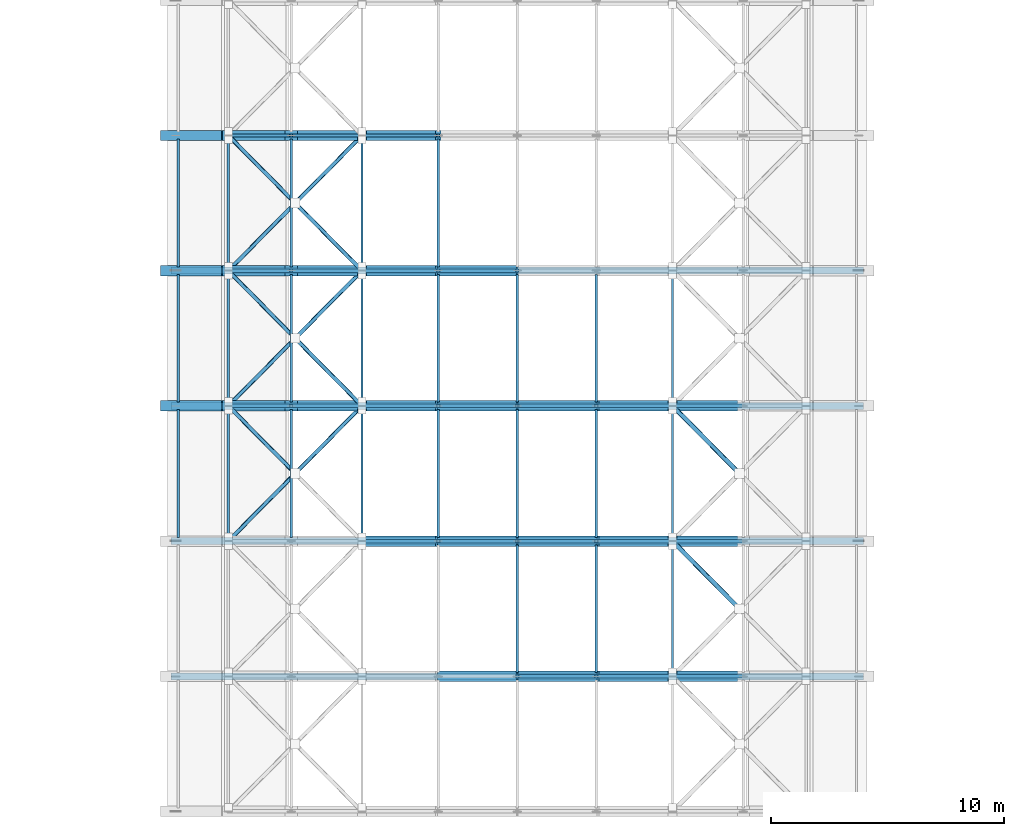
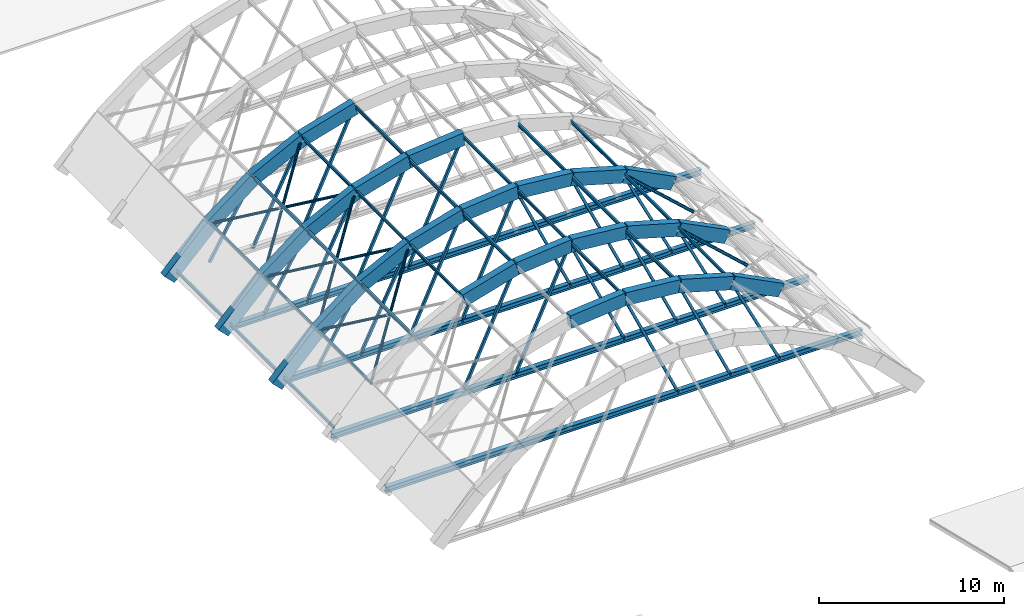
# One storey, part 8 of 81: 56 members, 30 beams.
"""IFC4 building model written with IfcOpenShell, lengths in metres."""

from ifc_helpers import new_model, si_unit, direction, frame, origin, origin_2d, place, context, subcontext, project, spatial, rectangle, hollow_rectangle, hollow_circle, i_section, extrude, material, material_profile, profile_set, type_object, element, save


model = new_model("IFC4")

# Units and contexts
model_context = context("Model", 3, precision=1e-05, world=origin(), true_north=direction((0.0, 1.0)))
body_context = subcontext(model_context, "Body", "Model", "MODEL_VIEW")
ifc_project = project(units=[si_unit("LENGTHUNIT", "METRE"), si_unit("AREAUNIT", "SQUARE_METRE"), si_unit("VOLUMEUNIT", "CUBIC_METRE"), si_unit("PLANEANGLEUNIT", "RADIAN"), si_unit("MASSUNIT", "GRAM", prefix="KILO")], contexts=[model_context])

# Site, building, storey
site_placement = place(None, origin())
site = spatial("IfcSite", under=ifc_project, at=site_placement, CompositionType="ELEMENT")
building_placement = place(site_placement, origin())
building = spatial("IfcBuilding", under=site, at=building_placement, Name="Tanwirah Colonnade Gardens", CompositionType="ELEMENT")
storey_placement = place(building_placement, frame((0.0, 0.0, 8.840087890625)))
storey = spatial("IfcBuildingStorey", under=building, at=storey_placement, Name="L02", CompositionType="ELEMENT", Elevation=8.840087890625)

# Members
ifc_material_1 = material(Name="Steel S355", Category="steel")
ifc_material_profile_1 = material_profile(ifc_material_1, hollow_circle(Radius=0.084228515625, WallThickness=0.010009765625, at=origin_2d()), Name="CHS 168.3x10")
ifc_profile_set_1 = profile_set([ifc_material_profile_1], Name="Steel S355")
member_type_1 = type_object("IfcMemberType", Name="BRC-CHS168", PredefinedType="BRACE", material=ifc_profile_set_1)
member_1_placement = place(storey_placement, frame((80.604736328125, 51.39990234375, 2.29345703125), z_axis=(0.642700500329, 0.650061128505, 0.405409171189), x_axis=(-0.711121325533, 0.70306931406, 0.0)))
element("IfcMember", 1, at=member_1_placement, inside=storey, type_object=member_type_1, Name="Vault Roof Continuous Diagonal Brace 3.1", PredefinedType="BRACE", context=body_context, shape_type="SweptSolid", body=[
    extrude(hollow_circle(Radius=0.084228515625, WallThickness=0.010009765625, at=origin_2d()), origin(), (0.0, 0.0, 1.0), 8.92236328125),
])
member_2_placement = place(storey_placement, frame((83.394775390625, 54.3779296875, 4.05322265625), z_axis=(-0.642707525194, 0.650074928572, -0.405375904935), x_axis=(-0.711124945561, -0.703065652554, 0.0)))
element("IfcMember", 2, at=member_2_placement, inside=storey, type_object=member_type_1, Name="Vault Roof Split Diagonal Brace 3.2B", PredefinedType="BRACE", context=body_context, shape_type="SweptSolid", body=[
    extrude(hollow_circle(Radius=0.084228515625, WallThickness=0.010009765625, at=origin_2d()), origin(), (0.0, 0.0, 1.0), 4.341064453125),
])
member_3_placement = place(storey_placement, frame((80.604736328125, 57.199951171875, 2.29345703125), z_axis=(0.642700500329, 0.650061128505, 0.405409171189), x_axis=(-0.711121325533, 0.70306931406, 0.0)))
element("IfcMember", 3, at=member_3_placement, inside=storey, type_object=member_type_1, Name="Vault Roof Continuous Diagonal Brace 4.1", PredefinedType="BRACE", context=body_context, shape_type="SweptSolid", body=[
    extrude(hollow_circle(Radius=0.084228515625, WallThickness=0.010009765625, at=origin_2d()), origin(), (0.0, 0.0, 1.0), 8.92236328125),
])
for number, where, z_axis, x_axis, name in (
    (4, (86.339111328125, 57.199951171875, 5.91064453125), (-0.642692872086, 0.650060107494, -0.405422901196), (-0.711124945561, -0.703065652554, 0.0), "Vault Roof Split Diagonal Brace 4.2A"),
    (5, (83.394775390625, 60.177978515625, 4.05322265625), (-0.642707525194, 0.650074928572, -0.405375904935), (-0.711124945561, -0.703065652554, 0.0), "Vault Roof Split Diagonal Brace 4.2B"),
):
    element("IfcMember", number, at=place(storey_placement, frame(where, z_axis=z_axis, x_axis=x_axis)), inside=storey, type_object=member_type_1, Name=name, PredefinedType="BRACE", context=body_context, shape_type="SweptSolid", body=[
        extrude(hollow_circle(Radius=0.084228515625, WallThickness=0.010009765625, at=origin_2d()), origin(), (0.0, 0.0, 1.0), 4.341064453125),
    ])
member_4_placement = place(storey_placement, frame((80.604736328125, 63.0, 2.29345703125), z_axis=(0.642700500329, 0.650061128505, 0.405409171189), x_axis=(-0.711121325533, 0.70306931406, 0.0)))
element("IfcMember", 6, at=member_4_placement, inside=storey, type_object=member_type_1, Name="Vault Roof Continuous Diagonal Brace 5.1", PredefinedType="BRACE", context=body_context, shape_type="SweptSolid", body=[
    extrude(hollow_circle(Radius=0.084228515625, WallThickness=0.010009765625, at=origin_2d()), origin(), (0.0, 0.0, 1.0), 8.92236328125),
])
for number, where, z_axis, x_axis, name in (
    (7, (86.339111328125, 63.0, 5.91064453125), (-0.642692872086, 0.650060107494, -0.405422901196), (-0.711124945561, -0.703065652554, 0.0), "Vault Roof Split Diagonal Brace 5.2A"),
    (8, (83.394775390625, 65.97802734375, 4.05322265625), (-0.642707525194, 0.650074928572, -0.405375904935), (-0.711124945561, -0.703065652554, 0.0), "Vault Roof Split Diagonal Brace 5.2B"),
):
    element("IfcMember", number, at=place(storey_placement, frame(where, z_axis=z_axis, x_axis=x_axis)), inside=storey, type_object=member_type_1, Name=name, PredefinedType="BRACE", context=body_context, shape_type="SweptSolid", body=[
        extrude(hollow_circle(Radius=0.084228515625, WallThickness=0.010009765625, at=origin_2d()), origin(), (0.0, 0.0, 1.0), 4.341064453125),
    ])
ifc_material_profile_2 = material_profile(ifc_material_1, hollow_circle(Radius=0.096923828125, WallThickness=0.010009765625, at=origin_2d()), Name="CHS 193.7x10")
ifc_profile_set_2 = profile_set([ifc_material_profile_2], Name="Steel S355")
member_type_2 = type_object("IfcMemberType", Name="BRC-CHS194", PredefinedType="BRACE", material=ifc_profile_set_2)
for number, where, z_axis, x_axis, name in (
    (9, (102.450927734375, 48.578125, 4.150634765625), (-0.642716368159, 0.65002763241, 0.405437722966), (-0.711094533496, -0.703096411904, 0.0), "Vault Roof Split Diagonal Brace 2.4B"),
    (10, (102.450927734375, 54.3779296875, 4.150634765625), (-0.642692872086, 0.650060107494, 0.405422901196), (-0.711124945561, -0.703065652554, 0.0), "Vault Roof Split Diagonal Brace 3.4B"),
):
    element("IfcMember", number, at=place(storey_placement, frame(where, z_axis=z_axis, x_axis=x_axis)), inside=storey, type_object=member_type_2, Name=name, PredefinedType="BRACE", context=body_context, shape_type="SweptSolid", body=[
        extrude(hollow_circle(Radius=0.096923828125, WallThickness=0.010009765625, at=origin_2d()), origin(), (0.0, 0.0, 1.0), 4.341064453125),
    ])
ifc_material_profile_3 = material_profile(ifc_material_1, i_section(OverallWidth=0.110107421875, OverallDepth=0.219970703125, WebThickness=0.005859375, FlangeThickness=0.00927734375, at=origin_2d()), Name="IPE 220")
ifc_profile_set_3 = profile_set([ifc_material_profile_3], Name="Steel S355")
member_type_3 = type_object("IfcMemberType", Name="PRL-IPE180", PredefinedType="PURLIN", material=ifc_profile_set_3)
for number, where, z_axis, x_axis, name in (
    (11, (96.389892578125, 45.760009765625, 6.9560546875), (0.0, 1.0, 0.0), (-1.0, 0.0, 0.0), "Vault Longitudinal Steel Purlin 2.6"),
    (12, (83.3017578125, 51.56005859375, 4.4716796875), (0.0, 1.0, 0.0), (-1.0, 0.0, 0.0), "Vault Longitudinal Steel Purlin 3.2"),
    (13, (89.610107421875, 51.56005859375, 6.9560546875), (0.0, 1.0, 0.0), (-1.0, 0.0, 0.0), "Vault Longitudinal Steel Purlin 3.4"),
    (14, (96.389892578125, 51.56005859375, 6.9560546875), (0.0, 1.0, 0.0), (-1.0, 0.0, 0.0), "Vault Longitudinal Steel Purlin 3.6"),
    (15, (83.3017578125, 57.360107421875, 4.4716796875), (0.0, 1.0, 0.0), (-1.0, 0.0, 0.0), "Vault Longitudinal Steel Purlin 4.2"),
    (16, (89.610107421875, 57.360107421875, 6.9560546875), (0.0, 1.0, 0.0), (-1.0, 0.0, 0.0), "Vault Longitudinal Steel Purlin 4.4"),
    (17, (96.389892578125, 57.360107421875, 6.9560546875), (0.0, 1.0, 0.0), (-1.0, 0.0, 0.0), "Vault Longitudinal Steel Purlin 4.6"),
    (18, (83.3017578125, 63.159912109375, 4.4716796875), (0.0, 1.0, 0.0), (-1.0, 0.0, 0.0), "Vault Longitudinal Steel Purlin 5.2"),
    (19, (89.610107421875, 63.159912109375, 6.9560546875), (0.0, 1.0, 0.0), (-1.0, 0.0, 0.0), "Vault Longitudinal Steel Purlin 5.4"),
):
    element("IfcMember", number, at=place(storey_placement, frame(where, z_axis=z_axis, x_axis=x_axis)), inside=storey, type_object=member_type_3, Name=name, PredefinedType="PURLIN", context=body_context, shape_type="SweptSolid", body=[
        extrude(i_section(OverallWidth=0.110107421875, OverallDepth=0.219970703125, WebThickness=0.005859375, FlangeThickness=0.00927734375, at=origin_2d()), origin(), (0.0, 0.0, 1.0), 5.47998046875),
    ])
ifc_material_profile_4 = material_profile(ifc_material_1, i_section(OverallWidth=0.10009765625, OverallDepth=0.199951171875, WebThickness=0.005615234375, FlangeThickness=0.008544921875, at=origin_2d()), Name="IPE 200")
ifc_profile_set_4 = profile_set([ifc_material_profile_4], Name="Steel S355")
member_type_4 = type_object("IfcMemberType", Name="PRL-IPE200", PredefinedType="PURLIN", material=ifc_profile_set_4)
for number, where, z_axis, x_axis, name in (
    (20, (93.0, 45.760009765625, 7.27490234375), (0.0, 1.0, 0.0), (-1.0, 0.0, 0.0), "Vault Longitudinal Steel Purlin 2.5"),
    (21, (99.660888671875, 45.760009765625, 6.010498046875), (0.0, 1.0, 0.0), (-1.0, 0.0, 0.0), "Vault Longitudinal Steel Purlin 2.7"),
    (22, (78.449951171875, 51.56005859375, 0.06982421875), (0.0, 1.0, 0.0), (-1.0, 0.0, 0.0), "Vault Eave Steel Purlin 3.W"),
    (23, (80.604736328125, 51.56005859375, 2.393310546875), (0.0, 1.0, 0.0), (-1.0, 0.0, 0.0), "Vault Longitudinal Steel Purlin 3.1"),
    (24, (86.339111328125, 51.56005859375, 6.010498046875), (0.0, 1.0, 0.0), (-1.0, 0.0, 0.0), "Vault Longitudinal Steel Purlin 3.3"),
    (25, (93.0, 51.56005859375, 7.27490234375), (0.0, 1.0, 0.0), (-1.0, 0.0, 0.0), "Vault Longitudinal Steel Purlin 3.5"),
    (26, (99.660888671875, 51.56005859375, 6.010498046875), (0.0, 1.0, 0.0), (-1.0, 0.0, 0.0), "Vault Longitudinal Steel Purlin 3.7"),
    (27, (78.449951171875, 57.360107421875, 0.06982421875), (0.0, 1.0, 0.0), (-1.0, 0.0, 0.0), "Vault Eave Steel Purlin 4.W"),
    (28, (80.604736328125, 57.360107421875, 2.393310546875), (0.0, 1.0, 0.0), (-1.0, 0.0, 0.0), "Vault Longitudinal Steel Purlin 4.1"),
    (29, (86.339111328125, 57.360107421875, 6.010498046875), (0.0, 1.0, 0.0), (-1.0, 0.0, 0.0), "Vault Longitudinal Steel Purlin 4.3"),
    (30, (93.0, 57.360107421875, 7.27490234375), (0.0, 1.0, 0.0), (-1.0, 0.0, 0.0), "Vault Longitudinal Steel Purlin 4.5"),
    (31, (99.660888671875, 57.360107421875, 6.010498046875), (0.0, 1.0, 0.0), (-1.0, 0.0, 0.0), "Vault Longitudinal Steel Purlin 4.7"),
    (32, (78.449951171875, 63.159912109375, 0.06982421875), (0.0, 1.0, 0.0), (-1.0, 0.0, 0.0), "Vault Eave Steel Purlin 5.W"),
    (33, (80.604736328125, 63.159912109375, 2.393310546875), (0.0, 1.0, 0.0), (-1.0, 0.0, 0.0), "Vault Longitudinal Steel Purlin 5.1"),
    (34, (86.339111328125, 63.159912109375, 6.010498046875), (0.0, 1.0, 0.0), (-1.0, 0.0, 0.0), "Vault Longitudinal Steel Purlin 5.3"),
):
    element("IfcMember", number, at=place(storey_placement, frame(where, z_axis=z_axis, x_axis=x_axis)), inside=storey, type_object=member_type_4, Name=name, PredefinedType="PURLIN", context=body_context, shape_type="SweptSolid", body=[
        extrude(i_section(OverallWidth=0.10009765625, OverallDepth=0.199951171875, WebThickness=0.005615234375, FlangeThickness=0.008544921875, at=origin_2d()), origin(), (0.0, 0.0, 1.0), 5.47998046875),
    ])

# Beams
ifc_material_2 = material(Name="Precast concrete C45/55", Category="concrete")
ifc_material_profile_5 = material_profile(ifc_material_2, rectangle(XDim=0.449951171875, YDim=0.85009765625, at=origin_2d()), Name="PC-RIB 450x850")
ifc_profile_set_5 = profile_set([ifc_material_profile_5], Name="Precast concrete C45/55")
beam_type_1 = type_object("IfcBeamType", Name="RIB-V450", PredefinedType="BEAM", material=ifc_profile_set_5)
for number, where, z_axis, x_axis, name in (
    (35, (89.610107421875, 45.60009765625, 6.85595703125), (0.99560565079, 0.0, 0.093645011158), (0.0, 1.0, 0.0), "Vault Precast Arch Rib 2 Segment 5"),
    (36, (93.0, 45.60009765625, 7.1748046875), (0.99560565079, 0.0, -0.093645011158), (0.0, 1.0, 0.0), "Vault Precast Arch Rib 2 Segment 6"),
    (37, (96.389892578125, 45.60009765625, 6.85595703125), (0.960686137021, 0.0, -0.277636716118), (0.0, 1.0, 0.0), "Vault Precast Arch Rib 2 Segment 7"),
):
    element("IfcBeam", number, at=place(storey_placement, frame(where, z_axis=z_axis, x_axis=x_axis)), inside=storey, type_object=beam_type_1, Name=name, PredefinedType="BEAM", context=body_context, shape_type="SweptSolid", body=[
        extrude(rectangle(XDim=0.449951171875, YDim=0.85009765625, at=origin_2d()), origin(), (0.0, 0.0, 1.0), 3.40478515625),
    ])
beam_1_placement = place(storey_placement, frame((99.660888671875, 45.60009765625, 5.91064453125), z_axis=(0.892019587428, 0.0, -0.451996742958), x_axis=(0.0, 1.0, 0.0)))
element("IfcBeam", 38, at=beam_1_placement, inside=storey, type_object=beam_type_1, Name="Vault Precast Arch Rib 2 Segment 8", PredefinedType="BEAM", context=body_context, shape_type="SweptSolid", body=[
    extrude(rectangle(XDim=0.449951171875, YDim=0.85009765625, at=origin_2d()), origin(), (0.0, 0.0, 1.0), 3.405029296875),
])
for number, where, z_axis, x_axis, name in (
    (39, (86.339111328125, 51.39990234375, 5.91064453125), (0.960686137021, 0.0, 0.277636716118), (0.0, 1.0, 0.0), "Vault Precast Arch Rib 3 Segment 4"),
    (40, (89.610107421875, 51.39990234375, 6.85595703125), (0.99560565079, 0.0, 0.093645011158), (0.0, 1.0, 0.0), "Vault Precast Arch Rib 3 Segment 5"),
    (41, (93.0, 51.39990234375, 7.1748046875), (0.99560565079, 0.0, -0.093645011158), (0.0, 1.0, 0.0), "Vault Precast Arch Rib 3 Segment 6"),
    (42, (96.389892578125, 51.39990234375, 6.85595703125), (0.960686137021, 0.0, -0.277636716118), (0.0, 1.0, 0.0), "Vault Precast Arch Rib 3 Segment 7"),
):
    element("IfcBeam", number, at=place(storey_placement, frame(where, z_axis=z_axis, x_axis=x_axis)), inside=storey, type_object=beam_type_1, Name=name, PredefinedType="BEAM", context=body_context, shape_type="SweptSolid", body=[
        extrude(rectangle(XDim=0.449951171875, YDim=0.85009765625, at=origin_2d()), origin(), (0.0, 0.0, 1.0), 3.40478515625),
    ])
beam_2_placement = place(storey_placement, frame((99.660888671875, 51.39990234375, 5.91064453125), z_axis=(0.892019587428, 0.0, -0.451996742958), x_axis=(0.0, 1.0, 0.0)))
element("IfcBeam", 43, at=beam_2_placement, inside=storey, type_object=beam_type_1, Name="Vault Precast Arch Rib 3 Segment 8", PredefinedType="BEAM", context=body_context, shape_type="SweptSolid", body=[
    extrude(rectangle(XDim=0.449951171875, YDim=0.85009765625, at=origin_2d()), origin(), (0.0, 0.0, 1.0), 3.405029296875),
])
beam_3_placement = place(storey_placement, frame((78.0, 57.199951171875, -0.35009765625), z_axis=(0.701857552298, 0.0, 0.712317328361), x_axis=(0.0, 1.0, 0.0)))
element("IfcBeam", 44, at=beam_3_placement, inside=storey, type_object=beam_type_1, Name="Vault Precast Arch Rib 4 Segment 1", PredefinedType="BEAM", context=body_context, shape_type="SweptSolid", body=[
    extrude(rectangle(XDim=0.449951171875, YDim=0.85009765625, at=origin_2d()), origin(), (0.0, 0.0, 1.0), 3.711181640625),
])
beam_4_placement = place(storey_placement, frame((80.604736328125, 57.199951171875, 2.29345703125), z_axis=(0.792127921204, 0.0, 0.610355106843), x_axis=(0.0, 1.0, 0.0)))
element("IfcBeam", 45, at=beam_4_placement, inside=storey, type_object=beam_type_1, Name="Vault Precast Arch Rib 4 Segment 2", PredefinedType="BEAM", context=body_context, shape_type="SweptSolid", body=[
    extrude(rectangle(XDim=0.449951171875, YDim=0.85009765625, at=origin_2d()), origin(), (0.0, 0.0, 1.0), 3.40478515625),
])
beam_5_placement = place(storey_placement, frame((83.3017578125, 57.199951171875, 4.37158203125), z_axis=(0.892019587428, 0.0, 0.451996742958), x_axis=(0.0, 1.0, 0.0)))
element("IfcBeam", 46, at=beam_5_placement, inside=storey, type_object=beam_type_1, Name="Vault Precast Arch Rib 4 Segment 3", PredefinedType="BEAM", context=body_context, shape_type="SweptSolid", body=[
    extrude(rectangle(XDim=0.449951171875, YDim=0.85009765625, at=origin_2d()), origin(), (0.0, 0.0, 1.0), 3.405029296875),
])
for number, where, z_axis, x_axis, name in (
    (47, (86.339111328125, 57.199951171875, 5.91064453125), (0.960686137021, 0.0, 0.277636716118), (0.0, 1.0, 0.0), "Vault Precast Arch Rib 4 Segment 4"),
    (48, (89.610107421875, 57.199951171875, 6.85595703125), (0.99560565079, 0.0, 0.093645011158), (0.0, 1.0, 0.0), "Vault Precast Arch Rib 4 Segment 5"),
    (49, (93.0, 57.199951171875, 7.1748046875), (0.99560565079, 0.0, -0.093645011158), (0.0, 1.0, 0.0), "Vault Precast Arch Rib 4 Segment 6"),
    (50, (96.389892578125, 57.199951171875, 6.85595703125), (0.960686137021, 0.0, -0.277636716118), (0.0, 1.0, 0.0), "Vault Precast Arch Rib 4 Segment 7"),
):
    element("IfcBeam", number, at=place(storey_placement, frame(where, z_axis=z_axis, x_axis=x_axis)), inside=storey, type_object=beam_type_1, Name=name, PredefinedType="BEAM", context=body_context, shape_type="SweptSolid", body=[
        extrude(rectangle(XDim=0.449951171875, YDim=0.85009765625, at=origin_2d()), origin(), (0.0, 0.0, 1.0), 3.40478515625),
    ])
beam_6_placement = place(storey_placement, frame((99.660888671875, 57.199951171875, 5.91064453125), z_axis=(0.892019587428, 0.0, -0.451996742958), x_axis=(0.0, 1.0, 0.0)))
element("IfcBeam", 51, at=beam_6_placement, inside=storey, type_object=beam_type_1, Name="Vault Precast Arch Rib 4 Segment 8", PredefinedType="BEAM", context=body_context, shape_type="SweptSolid", body=[
    extrude(rectangle(XDim=0.449951171875, YDim=0.85009765625, at=origin_2d()), origin(), (0.0, 0.0, 1.0), 3.405029296875),
])
beam_7_placement = place(storey_placement, frame((78.0, 63.0, -0.35009765625), z_axis=(0.701857552298, 0.0, 0.712317328361), x_axis=(0.0, 1.0, 0.0)))
element("IfcBeam", 52, at=beam_7_placement, inside=storey, type_object=beam_type_1, Name="Vault Precast Arch Rib 5 Segment 1", PredefinedType="BEAM", context=body_context, shape_type="SweptSolid", body=[
    extrude(rectangle(XDim=0.449951171875, YDim=0.85009765625, at=origin_2d()), origin(), (0.0, 0.0, 1.0), 3.711181640625),
])
beam_8_placement = place(storey_placement, frame((80.604736328125, 63.0, 2.29345703125), z_axis=(0.792127921204, 0.0, 0.610355106843), x_axis=(0.0, 1.0, 0.0)))
element("IfcBeam", 53, at=beam_8_placement, inside=storey, type_object=beam_type_1, Name="Vault Precast Arch Rib 5 Segment 2", PredefinedType="BEAM", context=body_context, shape_type="SweptSolid", body=[
    extrude(rectangle(XDim=0.449951171875, YDim=0.85009765625, at=origin_2d()), origin(), (0.0, 0.0, 1.0), 3.40478515625),
])
beam_9_placement = place(storey_placement, frame((83.3017578125, 63.0, 4.37158203125), z_axis=(0.892019587428, 0.0, 0.451996742958), x_axis=(0.0, 1.0, 0.0)))
element("IfcBeam", 54, at=beam_9_placement, inside=storey, type_object=beam_type_1, Name="Vault Precast Arch Rib 5 Segment 3", PredefinedType="BEAM", context=body_context, shape_type="SweptSolid", body=[
    extrude(rectangle(XDim=0.449951171875, YDim=0.85009765625, at=origin_2d()), origin(), (0.0, 0.0, 1.0), 3.405029296875),
])
for number, where, z_axis, x_axis, name in (
    (55, (86.339111328125, 63.0, 5.91064453125), (0.960686137021, 0.0, 0.277636716118), (0.0, 1.0, 0.0), "Vault Precast Arch Rib 5 Segment 4"),
    (56, (89.610107421875, 63.0, 6.85595703125), (0.99560565079, 0.0, 0.093645011158), (0.0, 1.0, 0.0), "Vault Precast Arch Rib 5 Segment 5"),
):
    element("IfcBeam", number, at=place(storey_placement, frame(where, z_axis=z_axis, x_axis=x_axis)), inside=storey, type_object=beam_type_1, Name=name, PredefinedType="BEAM", context=body_context, shape_type="SweptSolid", body=[
        extrude(rectangle(XDim=0.449951171875, YDim=0.85009765625, at=origin_2d()), origin(), (0.0, 0.0, 1.0), 3.40478515625),
    ])
beam_10_placement = place(storey_placement, frame((78.0, 68.800048828125, -0.35009765625), z_axis=(0.701857552298, 0.0, 0.712317328361), x_axis=(0.0, 1.0, 0.0)))
element("IfcBeam", 57, at=beam_10_placement, inside=storey, type_object=beam_type_1, Name="Vault Precast Arch Rib 6 Segment 1", PredefinedType="BEAM", context=body_context, shape_type="SweptSolid", body=[
    extrude(rectangle(XDim=0.449951171875, YDim=0.85009765625, at=origin_2d()), origin(), (0.0, 0.0, 1.0), 3.711181640625),
])
beam_11_placement = place(storey_placement, frame((80.604736328125, 68.800048828125, 2.29345703125), z_axis=(0.792127921204, 0.0, 0.610355106843), x_axis=(0.0, 1.0, 0.0)))
element("IfcBeam", 58, at=beam_11_placement, inside=storey, type_object=beam_type_1, Name="Vault Precast Arch Rib 6 Segment 2", PredefinedType="BEAM", context=body_context, shape_type="SweptSolid", body=[
    extrude(rectangle(XDim=0.449951171875, YDim=0.85009765625, at=origin_2d()), origin(), (0.0, 0.0, 1.0), 3.40478515625),
])
beam_12_placement = place(storey_placement, frame((83.3017578125, 68.800048828125, 4.37158203125), z_axis=(0.892019587428, 0.0, 0.451996742958), x_axis=(0.0, 1.0, 0.0)))
element("IfcBeam", 59, at=beam_12_placement, inside=storey, type_object=beam_type_1, Name="Vault Precast Arch Rib 6 Segment 3", PredefinedType="BEAM", context=body_context, shape_type="SweptSolid", body=[
    extrude(rectangle(XDim=0.449951171875, YDim=0.85009765625, at=origin_2d()), origin(), (0.0, 0.0, 1.0), 3.405029296875),
])
beam_13_placement = place(storey_placement, frame((86.339111328125, 68.800048828125, 5.91064453125), z_axis=(0.960686137021, 0.0, 0.277636716118), x_axis=(0.0, 1.0, 0.0)))
element("IfcBeam", 60, at=beam_13_placement, inside=storey, type_object=beam_type_1, Name="Vault Precast Arch Rib 6 Segment 4", PredefinedType="BEAM", context=body_context, shape_type="SweptSolid", body=[
    extrude(rectangle(XDim=0.449951171875, YDim=0.85009765625, at=origin_2d()), origin(), (0.0, 0.0, 1.0), 3.40478515625),
])
ifc_material_profile_6 = material_profile(ifc_material_1, i_section(OverallWidth=0.300048828125, OverallDepth=0.360107421875, WebThickness=0.012451171875, FlangeThickness=0.0224609375, at=origin_2d()), Name="HEB 360")
ifc_profile_set_6 = profile_set([ifc_material_profile_6], Name="Steel S355")
beam_type_2 = type_object("IfcBeamType", Name="STIE-HEB360", PredefinedType="BEAM", material=ifc_profile_set_6)
for number, where, z_axis, x_axis, name in (
    (61, (78.14990234375, 45.60009765625, -0.239990234375), (1.0, 0.0, 0.0), (0.0, 1.0, 0.0), "Vault Springing Steel Tension Tie 2"),
    (62, (78.14990234375, 51.39990234375, -0.239990234375), (1.0, 0.0, 0.0), (0.0, 1.0, 0.0), "Vault Springing Steel Tension Tie 3"),
    (63, (78.14990234375, 57.199951171875, -0.239990234375), (1.0, 0.0, 0.0), (0.0, 1.0, 0.0), "Vault Springing Steel Tension Tie 4"),
    (64, (78.14990234375, 63.0, -0.239990234375), (1.0, 0.0, 0.0), (0.0, 1.0, 0.0), "Vault Springing Steel Tension Tie 5"),
):
    element("IfcBeam", number, at=place(storey_placement, frame(where, z_axis=z_axis, x_axis=x_axis)), inside=storey, type_object=beam_type_2, Name=name, PredefinedType="BEAM", context=body_context, shape_type="SweptSolid", body=[
        extrude(i_section(OverallWidth=0.300048828125, OverallDepth=0.360107421875, WebThickness=0.012451171875, FlangeThickness=0.0224609375, at=origin_2d()), origin(), (0.0, 0.0, 1.0), 29.7001953125),
    ])

# Members
ifc_material_profile_7 = material_profile(ifc_material_1, hollow_rectangle(XDim=0.14990234375, YDim=0.14990234375, WallThickness=0.010009765625, at=origin_2d()), Name="SHS 150x150x10")
ifc_profile_set_7 = profile_set([ifc_material_profile_7], Name="Steel S355")
member_type_5 = type_object("IfcMemberType", Name="STR-SHS150", PredefinedType="STRUT", material=ifc_profile_set_7)
member_5_placement = place(storey_placement, frame((96.389892578125, 45.60009765625, -0.239990234375), z_axis=(-0.415787359689, 0.0, 0.909461858201), x_axis=(0.0, -1.0, 0.0)))
element("IfcMember", 65, at=member_5_placement, inside=storey, type_object=member_type_5, Name="Vault Tied-Arch Diagonal Web 2.6", PredefinedType="STRUT", context=body_context, shape_type="SweptSolid", body=[
    extrude(hollow_rectangle(XDim=0.14990234375, YDim=0.14990234375, WallThickness=0.010009765625, at=origin_2d()), origin(), (0.0, 0.0, 1.0), 8.15283203125),
])
member_6_placement = place(storey_placement, frame((99.660888671875, 45.60009765625, -0.239990234375), z_axis=(-0.418630140767, 0.0, 0.908156817539), x_axis=(0.0, -1.0, 0.0)))
element("IfcMember", 66, at=member_6_placement, inside=storey, type_object=member_type_5, Name="Vault Tied-Arch Diagonal Web 2.7", PredefinedType="STRUT", context=body_context, shape_type="SweptSolid", body=[
    extrude(hollow_rectangle(XDim=0.14990234375, YDim=0.14990234375, WallThickness=0.010009765625, at=origin_2d()), origin(), (0.0, 0.0, 1.0), 7.8134765625),
])
member_7_placement = place(storey_placement, frame((102.6982421875, 45.60009765625, -0.239990234375), z_axis=(-0.442780665699, 0.0, 0.896629958279), x_axis=(0.0, -1.0, 0.0)))
element("IfcMember", 67, at=member_7_placement, inside=storey, type_object=member_type_5, Name="Vault Tied-Arch Diagonal Web 2.8", PredefinedType="STRUT", context=body_context, shape_type="SweptSolid", body=[
    extrude(hollow_rectangle(XDim=0.14990234375, YDim=0.14990234375, WallThickness=0.010009765625, at=origin_2d()), origin(), (0.0, 0.0, 1.0), 6.859619140625),
])
member_8_placement = place(storey_placement, frame((86.339111328125, 51.39990234375, -0.239990234375), z_axis=(0.418630140767, 0.0, 0.908156817539), x_axis=(0.0, 1.0, 0.0)))
element("IfcMember", 68, at=member_8_placement, inside=storey, type_object=member_type_5, Name="Vault Tied-Arch Diagonal Web 3.4", PredefinedType="STRUT", context=body_context, shape_type="SweptSolid", body=[
    extrude(hollow_rectangle(XDim=0.14990234375, YDim=0.14990234375, WallThickness=0.010009765625, at=origin_2d()), origin(), (0.0, 0.0, 1.0), 7.8134765625),
])
for number, where, z_axis, x_axis, name in (
    (69, (89.610107421875, 51.39990234375, -0.239990234375), (0.415787359689, 0.0, 0.909461858201), (0.0, 1.0, 0.0), "Vault Tied-Arch Diagonal Web 3.5"),
    (70, (96.389892578125, 51.39990234375, -0.239990234375), (-0.415787359689, 0.0, 0.909461858201), (0.0, -1.0, 0.0), "Vault Tied-Arch Diagonal Web 3.6"),
):
    element("IfcMember", number, at=place(storey_placement, frame(where, z_axis=z_axis, x_axis=x_axis)), inside=storey, type_object=member_type_5, Name=name, PredefinedType="STRUT", context=body_context, shape_type="SweptSolid", body=[
        extrude(hollow_rectangle(XDim=0.14990234375, YDim=0.14990234375, WallThickness=0.010009765625, at=origin_2d()), origin(), (0.0, 0.0, 1.0), 8.15283203125),
    ])
member_9_placement = place(storey_placement, frame((99.660888671875, 51.39990234375, -0.239990234375), z_axis=(-0.418630140767, 0.0, 0.908156817539), x_axis=(0.0, -1.0, 0.0)))
element("IfcMember", 71, at=member_9_placement, inside=storey, type_object=member_type_5, Name="Vault Tied-Arch Diagonal Web 3.7", PredefinedType="STRUT", context=body_context, shape_type="SweptSolid", body=[
    extrude(hollow_rectangle(XDim=0.14990234375, YDim=0.14990234375, WallThickness=0.010009765625, at=origin_2d()), origin(), (0.0, 0.0, 1.0), 7.8134765625),
])
member_10_placement = place(storey_placement, frame((102.6982421875, 51.39990234375, -0.239990234375), z_axis=(-0.442780665699, 0.0, 0.896629958279), x_axis=(0.0, -1.0, 0.0)))
element("IfcMember", 72, at=member_10_placement, inside=storey, type_object=member_type_5, Name="Vault Tied-Arch Diagonal Web 3.8", PredefinedType="STRUT", context=body_context, shape_type="SweptSolid", body=[
    extrude(hollow_rectangle(XDim=0.14990234375, YDim=0.14990234375, WallThickness=0.010009765625, at=origin_2d()), origin(), (0.0, 0.0, 1.0), 6.859619140625),
])
member_11_placement = place(storey_placement, frame((80.604736328125, 57.199951171875, -0.239990234375), z_axis=(0.504839627362, 0.0, 0.863213154815), x_axis=(0.0, 1.0, 0.0)))
element("IfcMember", 73, at=member_11_placement, inside=storey, type_object=member_type_5, Name="Vault Tied-Arch Diagonal Web 4.2", PredefinedType="STRUT", context=body_context, shape_type="SweptSolid", body=[
    extrude(hollow_rectangle(XDim=0.14990234375, YDim=0.14990234375, WallThickness=0.010009765625, at=origin_2d()), origin(), (0.0, 0.0, 1.0), 5.34228515625),
])
member_12_placement = place(storey_placement, frame((83.3017578125, 57.199951171875, -0.239990234375), z_axis=(0.442780665699, 0.0, 0.896629958279), x_axis=(0.0, 1.0, 0.0)))
element("IfcMember", 74, at=member_12_placement, inside=storey, type_object=member_type_5, Name="Vault Tied-Arch Diagonal Web 4.3", PredefinedType="STRUT", context=body_context, shape_type="SweptSolid", body=[
    extrude(hollow_rectangle(XDim=0.14990234375, YDim=0.14990234375, WallThickness=0.010009765625, at=origin_2d()), origin(), (0.0, 0.0, 1.0), 6.859619140625),
])
member_13_placement = place(storey_placement, frame((86.339111328125, 57.199951171875, -0.239990234375), z_axis=(0.418630140767, 0.0, 0.908156817539), x_axis=(0.0, 1.0, 0.0)))
element("IfcMember", 75, at=member_13_placement, inside=storey, type_object=member_type_5, Name="Vault Tied-Arch Diagonal Web 4.4", PredefinedType="STRUT", context=body_context, shape_type="SweptSolid", body=[
    extrude(hollow_rectangle(XDim=0.14990234375, YDim=0.14990234375, WallThickness=0.010009765625, at=origin_2d()), origin(), (0.0, 0.0, 1.0), 7.8134765625),
])
for number, where, z_axis, x_axis, name in (
    (76, (89.610107421875, 57.199951171875, -0.239990234375), (0.415787359689, 0.0, 0.909461858201), (0.0, 1.0, 0.0), "Vault Tied-Arch Diagonal Web 4.5"),
    (77, (96.389892578125, 57.199951171875, -0.239990234375), (-0.415787359689, 0.0, 0.909461858201), (0.0, -1.0, 0.0), "Vault Tied-Arch Diagonal Web 4.6"),
):
    element("IfcMember", number, at=place(storey_placement, frame(where, z_axis=z_axis, x_axis=x_axis)), inside=storey, type_object=member_type_5, Name=name, PredefinedType="STRUT", context=body_context, shape_type="SweptSolid", body=[
        extrude(hollow_rectangle(XDim=0.14990234375, YDim=0.14990234375, WallThickness=0.010009765625, at=origin_2d()), origin(), (0.0, 0.0, 1.0), 8.15283203125),
    ])
member_14_placement = place(storey_placement, frame((99.660888671875, 57.199951171875, -0.239990234375), z_axis=(-0.418630140767, 0.0, 0.908156817539), x_axis=(0.0, -1.0, 0.0)))
element("IfcMember", 78, at=member_14_placement, inside=storey, type_object=member_type_5, Name="Vault Tied-Arch Diagonal Web 4.7", PredefinedType="STRUT", context=body_context, shape_type="SweptSolid", body=[
    extrude(hollow_rectangle(XDim=0.14990234375, YDim=0.14990234375, WallThickness=0.010009765625, at=origin_2d()), origin(), (0.0, 0.0, 1.0), 7.8134765625),
])
member_15_placement = place(storey_placement, frame((102.6982421875, 57.199951171875, -0.239990234375), z_axis=(-0.442780665699, 0.0, 0.896629958279), x_axis=(0.0, -1.0, 0.0)))
element("IfcMember", 79, at=member_15_placement, inside=storey, type_object=member_type_5, Name="Vault Tied-Arch Diagonal Web 4.8", PredefinedType="STRUT", context=body_context, shape_type="SweptSolid", body=[
    extrude(hollow_rectangle(XDim=0.14990234375, YDim=0.14990234375, WallThickness=0.010009765625, at=origin_2d()), origin(), (0.0, 0.0, 1.0), 6.859619140625),
])
member_16_placement = place(storey_placement, frame((80.604736328125, 63.0, -0.239990234375), z_axis=(0.504839627362, 0.0, 0.863213154815), x_axis=(0.0, 1.0, 0.0)))
element("IfcMember", 80, at=member_16_placement, inside=storey, type_object=member_type_5, Name="Vault Tied-Arch Diagonal Web 5.2", PredefinedType="STRUT", context=body_context, shape_type="SweptSolid", body=[
    extrude(hollow_rectangle(XDim=0.14990234375, YDim=0.14990234375, WallThickness=0.010009765625, at=origin_2d()), origin(), (0.0, 0.0, 1.0), 5.34228515625),
])
member_17_placement = place(storey_placement, frame((83.3017578125, 63.0, -0.239990234375), z_axis=(0.442780665699, 0.0, 0.896629958279), x_axis=(0.0, 1.0, 0.0)))
element("IfcMember", 81, at=member_17_placement, inside=storey, type_object=member_type_5, Name="Vault Tied-Arch Diagonal Web 5.3", PredefinedType="STRUT", context=body_context, shape_type="SweptSolid", body=[
    extrude(hollow_rectangle(XDim=0.14990234375, YDim=0.14990234375, WallThickness=0.010009765625, at=origin_2d()), origin(), (0.0, 0.0, 1.0), 6.859619140625),
])
member_18_placement = place(storey_placement, frame((86.339111328125, 63.0, -0.239990234375), z_axis=(0.418630140767, 0.0, 0.908156817539), x_axis=(0.0, 1.0, 0.0)))
element("IfcMember", 82, at=member_18_placement, inside=storey, type_object=member_type_5, Name="Vault Tied-Arch Diagonal Web 5.4", PredefinedType="STRUT", context=body_context, shape_type="SweptSolid", body=[
    extrude(hollow_rectangle(XDim=0.14990234375, YDim=0.14990234375, WallThickness=0.010009765625, at=origin_2d()), origin(), (0.0, 0.0, 1.0), 7.8134765625),
])
member_19_placement = place(storey_placement, frame((89.610107421875, 63.0, -0.239990234375), z_axis=(0.415787359689, 0.0, 0.909461858201), x_axis=(0.0, 1.0, 0.0)))
element("IfcMember", 83, at=member_19_placement, inside=storey, type_object=member_type_5, Name="Vault Tied-Arch Diagonal Web 5.5", PredefinedType="STRUT", context=body_context, shape_type="SweptSolid", body=[
    extrude(hollow_rectangle(XDim=0.14990234375, YDim=0.14990234375, WallThickness=0.010009765625, at=origin_2d()), origin(), (0.0, 0.0, 1.0), 8.15283203125),
])
member_20_placement = place(storey_placement, frame((80.604736328125, 68.800048828125, -0.239990234375), z_axis=(0.504839627362, 0.0, 0.863213154815), x_axis=(0.0, 1.0, 0.0)))
element("IfcMember", 84, at=member_20_placement, inside=storey, type_object=member_type_5, Name="Vault Tied-Arch Diagonal Web 6.2", PredefinedType="STRUT", context=body_context, shape_type="SweptSolid", body=[
    extrude(hollow_rectangle(XDim=0.14990234375, YDim=0.14990234375, WallThickness=0.010009765625, at=origin_2d()), origin(), (0.0, 0.0, 1.0), 5.34228515625),
])
member_21_placement = place(storey_placement, frame((83.3017578125, 68.800048828125, -0.239990234375), z_axis=(0.442780665699, 0.0, 0.896629958279), x_axis=(0.0, 1.0, 0.0)))
element("IfcMember", 85, at=member_21_placement, inside=storey, type_object=member_type_5, Name="Vault Tied-Arch Diagonal Web 6.3", PredefinedType="STRUT", context=body_context, shape_type="SweptSolid", body=[
    extrude(hollow_rectangle(XDim=0.14990234375, YDim=0.14990234375, WallThickness=0.010009765625, at=origin_2d()), origin(), (0.0, 0.0, 1.0), 6.859619140625),
])
member_22_placement = place(storey_placement, frame((86.339111328125, 68.800048828125, -0.239990234375), z_axis=(0.418630140767, 0.0, 0.908156817539), x_axis=(0.0, 1.0, 0.0)))
element("IfcMember", 86, at=member_22_placement, inside=storey, type_object=member_type_5, Name="Vault Tied-Arch Diagonal Web 6.4", PredefinedType="STRUT", context=body_context, shape_type="SweptSolid", body=[
    extrude(hollow_rectangle(XDim=0.14990234375, YDim=0.14990234375, WallThickness=0.010009765625, at=origin_2d()), origin(), (0.0, 0.0, 1.0), 7.8134765625),
])

save(model, "model.ifc")
